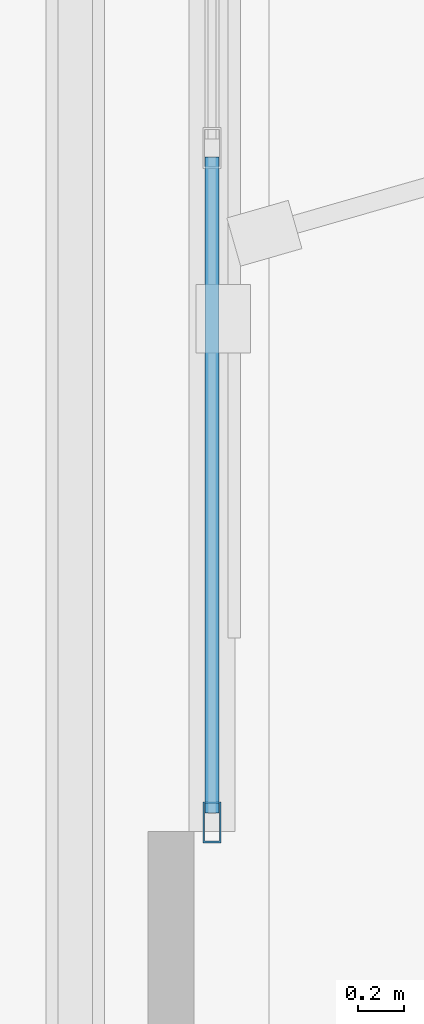
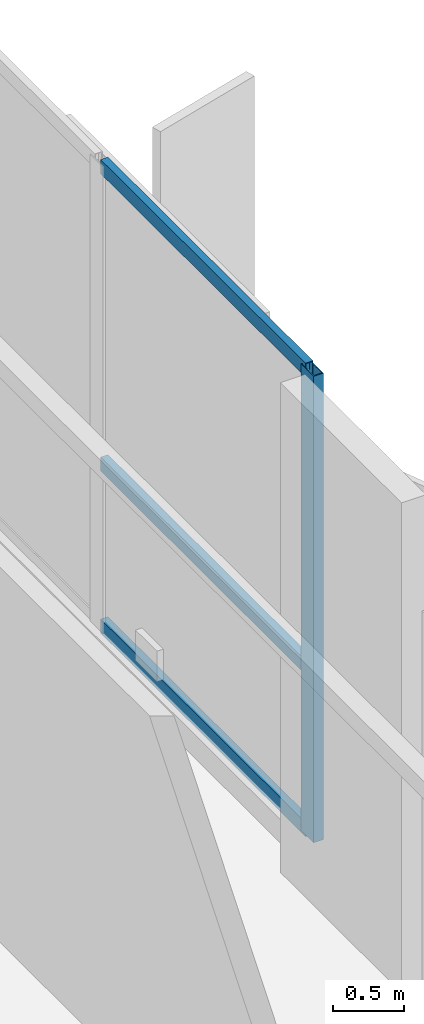
# One storey, part 5 of 15: 4 members, 1 element without a shape of its own.
"""IFC4 building model written with IfcOpenShell, lengths in metres."""

from ifc_helpers import new_model, si_unit, direction, frame, origin, origin_2d, place, context, subcontext, project, spatial, hollow_rectangle, extrude, material, layer, layer_set, material_profile, profile_set, type_object, element, aggregate, save


model = new_model("IFC4")

# Units and contexts
model_context = context("Model", 3, precision=1e-05, world=origin(), true_north=direction((0.0, 1.0)))
body_context = subcontext(model_context, "Body", "Model", "MODEL_VIEW")
ifc_project = project(units=[si_unit("LENGTHUNIT", "METRE"), si_unit("AREAUNIT", "SQUARE_METRE"), si_unit("VOLUMEUNIT", "CUBIC_METRE"), si_unit("PLANEANGLEUNIT", "RADIAN"), si_unit("MASSUNIT", "GRAM", prefix="KILO")], contexts=[model_context])

# Site, building, storey
site_placement = place(None, origin())
site = spatial("IfcSite", under=ifc_project, at=site_placement, CompositionType="ELEMENT")
building_placement = place(site_placement, origin())
building = spatial("IfcBuilding", under=site, at=building_placement, Name="Mersakhor Tower and Convention Hall", CompositionType="ELEMENT")
storey_placement = place(building_placement, frame((0.0, 0.0, 218.39990234375)))
storey = spatial("IfcBuildingStorey", under=building, at=storey_placement, Name="L61", CompositionType="ELEMENT", Elevation=218.39990234375)

# Curtain wall, members
ifc_material_1 = material(Name="Dark solar low-E aluminium curtain wall", Category="aluminium")
ifc_layer = layer(ifc_material_1, 0.199951171875)
ifc_layer_set = layer_set([ifc_layer], Name="Dark solar low-E aluminium curtain wall")
curtain_wall_type = type_object("IfcCurtainWallType", Name="CW-SYS-05", PredefinedType="USERDEFINED", material=ifc_layer_set)
curtain_wall_placement = place(storey_placement, origin())
curtain_wall = element("IfcCurtainWall", 1, at=curtain_wall_placement, inside=storey, type_object=curtain_wall_type, Name="L61 Dark-Glass Curtain Wall F2-B2", ObjectType="CURTAIN WALL", PredefinedType="USERDEFINED")
ifc_material_2 = material(Name="Anodised aluminium EN AW-6063 T6", Category="aluminium")
ifc_material_profile_1 = material_profile(ifc_material_2, hollow_rectangle(XDim=0.080078125, YDim=0.179931640625, WallThickness=0.008056640625, at=origin_2d()), Name="RHS 180x80x8")
ifc_profile_set_1 = profile_set([ifc_material_profile_1], Name="Anodised aluminium EN AW-6063 T6")
member_type_1 = type_object("IfcMemberType", Name="CWM-180x80", PredefinedType="MULLION", material=ifc_profile_set_1)
member_1_placement = place(storey_placement, frame((40.58837890625, 22.29052734375, 0.2001953125), z_axis=(0.0, 0.0, 1.0), x_axis=(1.0, 0.0, 0.0)))
member_1 = element("IfcMember", 2, at=member_1_placement, type_object=member_type_1, Name="CW-05 mullion 4", PredefinedType="MULLION", context=body_context, shape_type="SweptSolid", body=[
    extrude(hollow_rectangle(XDim=0.080078125, YDim=0.179931640625, WallThickness=0.008056640625, at=origin_2d()), origin(), (0.0, 0.0, 1.0), 4.0),
])
ifc_material_3 = material(Name="Anodised aluminium EN AW-6063 T6", Category="aluminium")
ifc_material_profile_2 = material_profile(ifc_material_3, hollow_rectangle(XDim=0.06005859375, YDim=0.1201171875, WallThickness=0.0048828125, at=origin_2d()), Name="RHS 120x60x5")
ifc_profile_set_2 = profile_set([ifc_material_profile_2], Name="Anodised aluminium EN AW-6063 T6")
member_type_2 = type_object("IfcMemberType", Name="CWT-120x60", PredefinedType="USERDEFINED", material=ifc_profile_set_2)
member_2_placement = place(storey_placement, frame((40.58837890625, 25.210205078125, 0.22998046875), z_axis=(0.0, -1.0, 0.0), x_axis=(1.0, 0.0, 0.0)))
member_2 = element("IfcMember", 3, at=member_2_placement, type_object=member_type_2, Name="CW-05 transom 3.1", ObjectType="TRANSOM", PredefinedType="USERDEFINED", context=body_context, shape_type="SweptSolid", body=[
    extrude(hollow_rectangle(XDim=0.06005859375, YDim=0.1201171875, WallThickness=0.0048828125, at=origin_2d()), origin(), (0.0, 0.0, 1.0), 2.879638671875),
])
member_3_placement = place(storey_placement, frame((40.58837890625, 25.210205078125, 1.6201171875), z_axis=(0.0, -1.0, 0.0), x_axis=(1.0, 0.0, 0.0)))
member_3 = element("IfcMember", 4, at=member_3_placement, type_object=member_type_2, Name="CW-05 transom 3.2", ObjectType="TRANSOM", PredefinedType="USERDEFINED", context=body_context, shape_type="SweptSolid", body=[
    extrude(hollow_rectangle(XDim=0.06005859375, YDim=0.1201171875, WallThickness=0.0048828125, at=origin_2d()), origin(), (0.0, 0.0, 1.0), 2.879638671875),
])
member_4_placement = place(storey_placement, frame((40.58837890625, 25.210205078125, 4.170166015625), z_axis=(0.0, -1.0, 0.0), x_axis=(1.0, 0.0, 0.0)))
member_4 = element("IfcMember", 5, at=member_4_placement, type_object=member_type_2, Name="CW-05 transom 3.3", ObjectType="TRANSOM", PredefinedType="USERDEFINED", context=body_context, shape_type="SweptSolid", body=[
    extrude(hollow_rectangle(XDim=0.06005859375, YDim=0.1201171875, WallThickness=0.0048828125, at=origin_2d()), origin(), (0.0, 0.0, 1.0), 2.879638671875),
])
aggregate(curtain_wall, [member_1, member_2, member_3, member_4])

save(model, "model.ifc")
